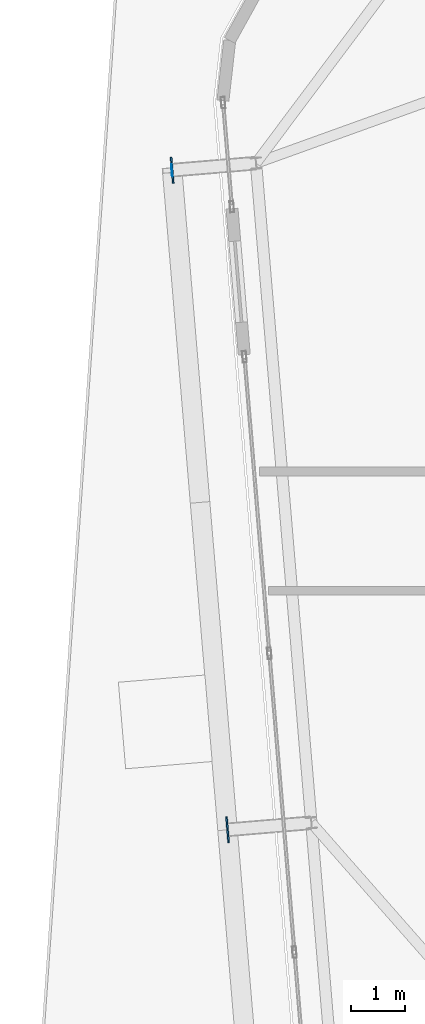
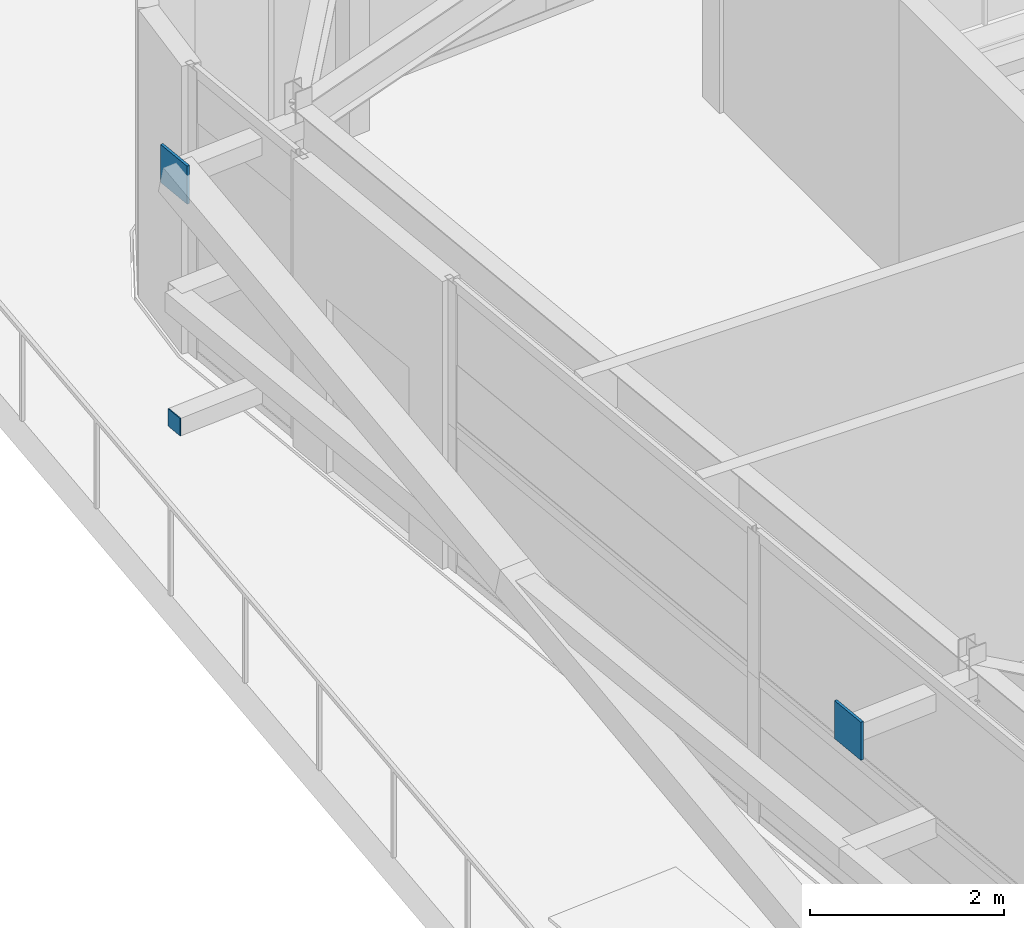
# One storey, part 27 of 38: 3 plates.
"""IFC4 building model written with IfcOpenShell, lengths in metres."""

from ifc_helpers import new_model, si_unit, direction, frame, origin, origin_2d, place, context, subcontext, project, spatial, rectangle, extrude, source, transform, mapped, material, layer, layer_set, type_object, element, save


model = new_model("IFC4")

# Units and contexts
model_context = context("Model", 3, precision=1e-05, world=origin(), true_north=direction((0.0, 1.0)))
body_context = subcontext(model_context, "Body", "Model", "MODEL_VIEW")
ifc_project = project(units=[si_unit("LENGTHUNIT", "METRE"), si_unit("AREAUNIT", "SQUARE_METRE"), si_unit("VOLUMEUNIT", "CUBIC_METRE"), si_unit("PLANEANGLEUNIT", "RADIAN"), si_unit("MASSUNIT", "GRAM", prefix="KILO")], contexts=[model_context])

# Site, building, storey
site_placement = place(None, origin())
site = spatial("IfcSite", under=ifc_project, at=site_placement, CompositionType="ELEMENT")
building_placement = place(site_placement, origin())
building = spatial("IfcBuilding", under=site, at=building_placement, Name="Taldren Reach Tower", CompositionType="ELEMENT")
storey_placement = place(building_placement, frame((0.0, 0.0, 168.699951171875)))
storey = spatial("IfcBuildingStorey", under=building, at=storey_placement, Name="L51", CompositionType="ELEMENT", Elevation=168.699951171875)

# Plates
ifc_material = material(Name="Steel Gr 450 (C450L0)", Category="steel")
ifc_layer_1 = layer(ifc_material, 0.031982421875)
ifc_layer_set_1 = layer_set([ifc_layer_1], Name="Steel Gr 450 (C450L0)")
plate_type_1 = type_object("IfcPlateType", Name="PL-GUSSET-32", PredefinedType="SHEET", material=ifc_layer_set_1)
shared_shape_1 = source(origin(), body_context, "Body", "SweptSolid", [
    extrude(rectangle(XDim=0.47998046875, YDim=0.031982421875, at=origin_2d()), origin(), (0.0, 0.0, 1.0), 0.47998046875),
])
for number, where, z_axis, x_axis, name in (
    (1, (12.0380859375, 17.3955078125, 3.110107421875), (0.0, 0.0, 1.0), (-0.083677843332, 0.99649285925, 0.0), "Exoskeleton star-node gusset plate B4-W2 L51"),
    (2, (11.017333984375, 29.552734375, 3.110107421875), (0.0, 0.0, 1.0), (-0.083677843332, 0.99649285925, 0.0), "Exoskeleton star-node gusset plate B4-W3 L51"),
):
    element("IfcPlate", number, at=place(storey_placement, frame(where, z_axis=z_axis, x_axis=x_axis)), inside=storey, type_object=plate_type_1, Name=name, PredefinedType="SHEET", context=body_context, shape_type="MappedRepresentation", body=[
        mapped(shared_shape_1, transform((0.0, 0.0, 0.0), scale=1.0)),
    ])
ifc_layer_2 = layer(ifc_material, 0.011962890625)
ifc_layer_set_2 = layer_set([ifc_layer_2], Name="Steel Gr 450 (C450L0)")
plate_type_2 = type_object("IfcPlateType", Name="PL-CAP-220", PredefinedType="SHEET", material=ifc_layer_set_2)
shared_shape_2 = source(origin(), body_context, "Body", "SweptSolid", [
    extrude(rectangle(XDim=0.011962890625, YDim=0.219970703125, at=origin_2d()), origin(), (0.0, 0.0, 1.0), 0.219970703125),
])
plate_placement = place(storey_placement, frame((11.011474609375, 29.55224609375, 0.10986328125), z_axis=(0.0, 0.0, 1.0), x_axis=(0.99649285925, 0.083677843332, 0.0)))
element("IfcPlate", 3, at=plate_placement, inside=storey, type_object=plate_type_2, Name="Tie strut end cap plate B4-W3 L51", PredefinedType="SHEET", context=body_context, shape_type="MappedRepresentation", body=[
    mapped(shared_shape_2, transform((0.0, 0.0, 0.0), scale=1.0)),
])

save(model, "model.ifc")
